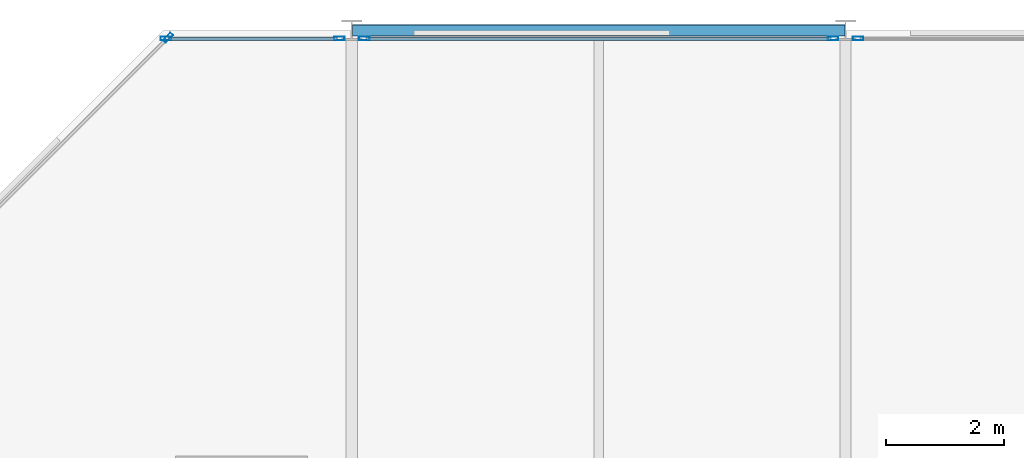
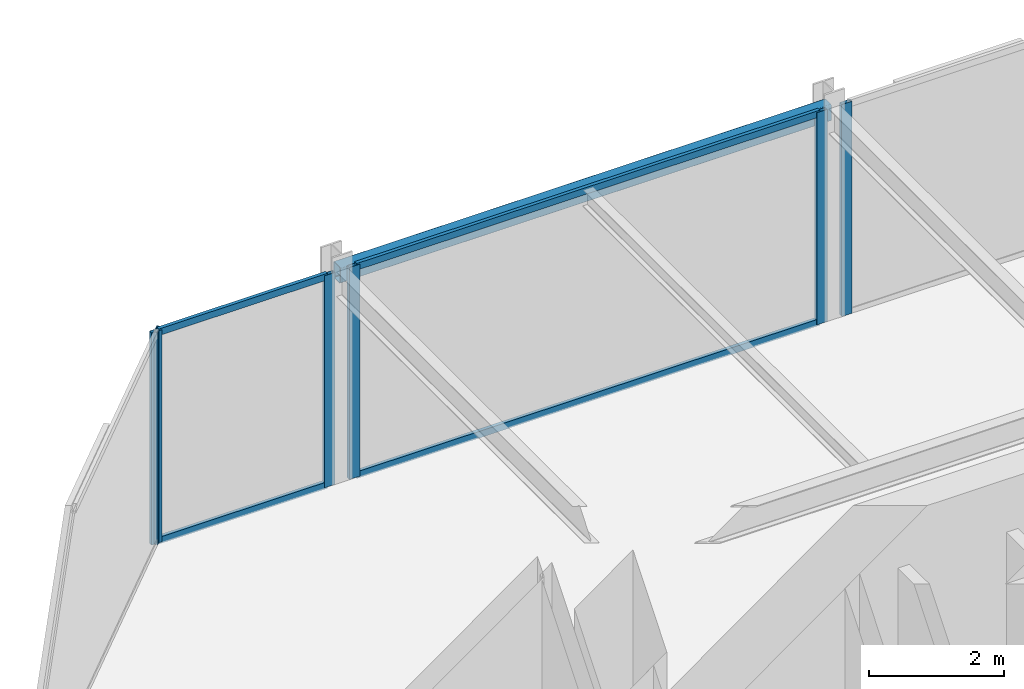
# One storey, part 20 of 29: 10 members, 1 beam, 4 elements without a shape of their own.
"""IFC4 building model written with IfcOpenShell, lengths in metres."""

from ifc_helpers import new_model, si_unit, direction, frame, origin, origin_2d, place, context, subcontext, project, spatial, hollow_rectangle, extrude, material, layer, layer_set, material_profile, profile_set, type_object, element, aggregate, save


model = new_model("IFC4")

# Units and contexts
model_context = context("Model", 3, precision=1e-05, world=origin(), true_north=direction((0.0, 1.0)))
body_context = subcontext(model_context, "Body", "Model", "MODEL_VIEW")
ifc_project = project(units=[si_unit("LENGTHUNIT", "METRE"), si_unit("AREAUNIT", "SQUARE_METRE"), si_unit("VOLUMEUNIT", "CUBIC_METRE"), si_unit("PLANEANGLEUNIT", "RADIAN"), si_unit("MASSUNIT", "GRAM", prefix="KILO")], contexts=[model_context])

# Site, building, storey
site_placement = place(None, origin())
site = spatial("IfcSite", under=ifc_project, at=site_placement, CompositionType="ELEMENT")
building_placement = place(site_placement, origin())
building = spatial("IfcBuilding", under=site, at=building_placement, Name="Nerrivon Quay Data Exchange", CompositionType="ELEMENT")
storey_placement = place(building_placement, frame((0.0, 0.0, 208.300048828125)))
storey = spatial("IfcBuildingStorey", under=building, at=storey_placement, Name="L49", CompositionType="ELEMENT", Elevation=208.300048828125)

# Beam
ifc_material_1 = material(Name="Steel Grade C350L0 (350 MPa)", Category="steel")
ifc_material_profile_1 = material_profile(ifc_material_1, hollow_rectangle(XDim=0.199951171875, YDim=0.300048828125, WallThickness=0.012451171875, InnerFilletRadius=0.018798828125, OuterFilletRadius=0.03125, at=origin_2d()), Name="300x200x12.5RHS")
ifc_profile_set_1 = profile_set([ifc_material_profile_1], Name="Steel Grade C350L0 (350 MPa)")
beam_type = type_object("IfcBeamType", Name="BM-SP3-300x200RHS", PredefinedType="SPANDREL", material=ifc_profile_set_1)
beam_placement = place(storey_placement, frame((8.409912109375, 50.39990234375, 3.675048828125), z_axis=(1.0, 0.0, 0.0), x_axis=(0.0, 1.0, 0.0)))
element("IfcBeam", 1, at=beam_placement, inside=storey, type_object=beam_type, Name="L49 EW Girder Y=50.4 (8.4..16.8)", PredefinedType="SPANDREL", context=body_context, shape_type="SweptSolid", body=[
    extrude(hollow_rectangle(XDim=0.199951171875, YDim=0.300048828125, WallThickness=0.012451171875, InnerFilletRadius=0.018798828125, OuterFilletRadius=0.03125, at=origin_2d()), origin(), (0.0, 0.0, 1.0), 8.380126953125),
])

# Curtain wall, member
ifc_material_2 = material(Name="Anodised aluminium 6063-T6", Category="aluminium")
ifc_layer = layer(ifc_material_2, 0.195068359375)
ifc_layer_set = layer_set([ifc_layer], Name="Anodised aluminium 6063-T6")
curtain_wall_type = type_object("IfcCurtainWallType", Name="CW-SYS-06", PredefinedType="NOTDEFINED", material=ifc_layer_set)
curtain_wall_1_placement = place(storey_placement, origin())
curtain_wall_1 = element("IfcCurtainWall", 2, at=curtain_wall_1_placement, inside=storey, type_object=curtain_wall_type, Name="L49 Unitised Curtain Wall 7", PredefinedType="NOTDEFINED")
ifc_material_profile_2 = material_profile(ifc_material_2, hollow_rectangle(XDim=0.06494140625, YDim=0.179931640625, WallThickness=0.00341796875, at=origin_2d()), Name="ALU-MULL-180x65")
ifc_profile_set_2 = profile_set([ifc_material_profile_2], Name="Anodised aluminium 6063-T6")
member_type_1 = type_object("IfcMemberType", Name="CWM-180x65", PredefinedType="MULLION", material=ifc_profile_set_2)
member_1_placement = place(storey_placement, frame((5.2724609375, 50.2744140625, 0.0), z_axis=(0.0, 0.0, 1.0), x_axis=(-0.707106781187, 0.707106781187, 0.0)))
member_1 = element("IfcMember", 3, at=member_1_placement, type_object=member_type_1, Name="CW06 mullion 2", PredefinedType="MULLION", context=body_context, shape_type="SweptSolid", body=[
    extrude(hollow_rectangle(XDim=0.06494140625, YDim=0.179931640625, WallThickness=0.00341796875, at=origin_2d()), origin(), (0.0, 0.0, 1.0), 3.824951171875),
])
aggregate(curtain_wall_1, [member_1])

# Curtain wall, members
curtain_wall_2_placement = place(storey_placement, origin())
curtain_wall_2 = element("IfcCurtainWall", 4, at=curtain_wall_2_placement, inside=storey, type_object=curtain_wall_type, Name="L49 Unitised Curtain Wall 8", PredefinedType="NOTDEFINED")
member_2_placement = place(storey_placement, frame((5.237548828125, 50.260009765625, 0.0), z_axis=(0.0, 0.0, 1.0), x_axis=(0.0, 1.0, 0.0)))
member_2 = element("IfcMember", 5, at=member_2_placement, type_object=member_type_1, Name="CW06 mullion 1", PredefinedType="MULLION", context=body_context, shape_type="SweptSolid", body=[
    extrude(hollow_rectangle(XDim=0.06494140625, YDim=0.179931640625, WallThickness=0.00341796875, at=origin_2d()), origin(), (0.0, 0.0, 1.0), 3.824951171875),
])
member_3_placement = place(storey_placement, frame((8.1875, 50.260009765625, 0.0), z_axis=(0.0, 0.0, 1.0), x_axis=(0.0, 1.0, 0.0)))
member_3 = element("IfcMember", 6, at=member_3_placement, type_object=member_type_1, Name="CW06 mullion 2", PredefinedType="MULLION", context=body_context, shape_type="SweptSolid", body=[
    extrude(hollow_rectangle(XDim=0.06494140625, YDim=0.179931640625, WallThickness=0.00341796875, at=origin_2d()), origin(), (0.0, 0.0, 1.0), 3.824951171875),
])

curtain_wall_3_placement = place(storey_placement, origin())
curtain_wall_3 = element("IfcCurtainWall", 7, at=curtain_wall_3_placement, inside=storey, type_object=curtain_wall_type, Name="L49 Unitised Curtain Wall 9", PredefinedType="NOTDEFINED")
member_4_placement = place(storey_placement, frame((8.612548828125, 50.260009765625, 0.0), z_axis=(0.0, 0.0, 1.0), x_axis=(0.0, 1.0, 0.0)))
member_4 = element("IfcMember", 8, at=member_4_placement, type_object=member_type_1, Name="CW06 mullion 1", PredefinedType="MULLION", context=body_context, shape_type="SweptSolid", body=[
    extrude(hollow_rectangle(XDim=0.06494140625, YDim=0.179931640625, WallThickness=0.00341796875, at=origin_2d()), origin(), (0.0, 0.0, 1.0), 3.824951171875),
])
member_5_placement = place(storey_placement, frame((16.58740234375, 50.260009765625, 0.0), z_axis=(0.0, 0.0, 1.0), x_axis=(0.0, 1.0, 0.0)))
member_5 = element("IfcMember", 9, at=member_5_placement, type_object=member_type_1, Name="CW06 mullion 2", PredefinedType="MULLION", context=body_context, shape_type="SweptSolid", body=[
    extrude(hollow_rectangle(XDim=0.06494140625, YDim=0.179931640625, WallThickness=0.00341796875, at=origin_2d()), origin(), (0.0, 0.0, 1.0), 3.824951171875),
])

# Curtain wall, member
curtain_wall_4_placement = place(storey_placement, origin())
curtain_wall_4 = element("IfcCurtainWall", 10, at=curtain_wall_4_placement, inside=storey, type_object=curtain_wall_type, Name="L49 Unitised Curtain Wall 10", PredefinedType="NOTDEFINED")
member_6_placement = place(storey_placement, frame((17.012451171875, 50.260009765625, 0.0), z_axis=(0.0, 0.0, 1.0), x_axis=(0.0, 1.0, 0.0)))
member_6 = element("IfcMember", 11, at=member_6_placement, type_object=member_type_1, Name="CW06 mullion 1", PredefinedType="MULLION", context=body_context, shape_type="SweptSolid", body=[
    extrude(hollow_rectangle(XDim=0.06494140625, YDim=0.179931640625, WallThickness=0.00341796875, at=origin_2d()), origin(), (0.0, 0.0, 1.0), 3.824951171875),
])
aggregate(curtain_wall_4, [member_6])

# Member
ifc_material_profile_3 = material_profile(ifc_material_2, hollow_rectangle(XDim=0.06005859375, YDim=0.1201171875, WallThickness=0.003173828125, at=origin_2d()), Name="ALU-TRAN-120x60")
ifc_profile_set_3 = profile_set([ifc_material_profile_3], Name="Anodised aluminium 6063-T6")
member_type_2 = type_object("IfcMemberType", Name="CWT-120x60", PredefinedType="USERDEFINED", material=ifc_profile_set_3)
member_7_placement = place(storey_placement, frame((5.27490234375, 50.260009765625, 0.032470703125), z_axis=(1.0, 0.0, 0.0), x_axis=(0.0, 1.0, 0.0)))
member_7 = element("IfcMember", 12, at=member_7_placement, type_object=member_type_2, Name="CW06 transom 1.1", ObjectType="TRANSOM", PredefinedType="USERDEFINED", context=body_context, shape_type="SweptSolid", body=[
    extrude(hollow_rectangle(XDim=0.06005859375, YDim=0.1201171875, WallThickness=0.003173828125, at=origin_2d()), origin(), (0.0, 0.0, 1.0), 2.875),
])

member_8_placement = place(storey_placement, frame((5.27490234375, 50.260009765625, 3.79248046875), z_axis=(1.0, 0.0, 0.0), x_axis=(0.0, 1.0, 0.0)))
member_8 = element("IfcMember", 13, at=member_8_placement, type_object=member_type_2, Name="CW06 transom 1.2", ObjectType="TRANSOM", PredefinedType="USERDEFINED", context=body_context, shape_type="SweptSolid", body=[
    extrude(hollow_rectangle(XDim=0.06005859375, YDim=0.1201171875, WallThickness=0.003173828125, at=origin_2d()), origin(), (0.0, 0.0, 1.0), 2.875),
])

aggregate(curtain_wall_2, [member_2, member_3, member_7, member_8])

member_9_placement = place(storey_placement, frame((8.64990234375, 50.260009765625, 0.032470703125), z_axis=(1.0, 0.0, 0.0), x_axis=(0.0, 1.0, 0.0)))
member_9 = element("IfcMember", 14, at=member_9_placement, type_object=member_type_2, Name="CW06 transom 1.1", ObjectType="TRANSOM", PredefinedType="USERDEFINED", context=body_context, shape_type="SweptSolid", body=[
    extrude(hollow_rectangle(XDim=0.06005859375, YDim=0.1201171875, WallThickness=0.003173828125, at=origin_2d()), origin(), (0.0, 0.0, 1.0), 7.900146484375),
])

member_10_placement = place(storey_placement, frame((8.64990234375, 50.260009765625, 3.79248046875), z_axis=(1.0, 0.0, 0.0), x_axis=(0.0, 1.0, 0.0)))
member_10 = element("IfcMember", 15, at=member_10_placement, type_object=member_type_2, Name="CW06 transom 1.2", ObjectType="TRANSOM", PredefinedType="USERDEFINED", context=body_context, shape_type="SweptSolid", body=[
    extrude(hollow_rectangle(XDim=0.06005859375, YDim=0.1201171875, WallThickness=0.003173828125, at=origin_2d()), origin(), (0.0, 0.0, 1.0), 7.900146484375),
])

aggregate(curtain_wall_3, [member_4, member_5, member_9, member_10])

save(model, "model.ifc")
